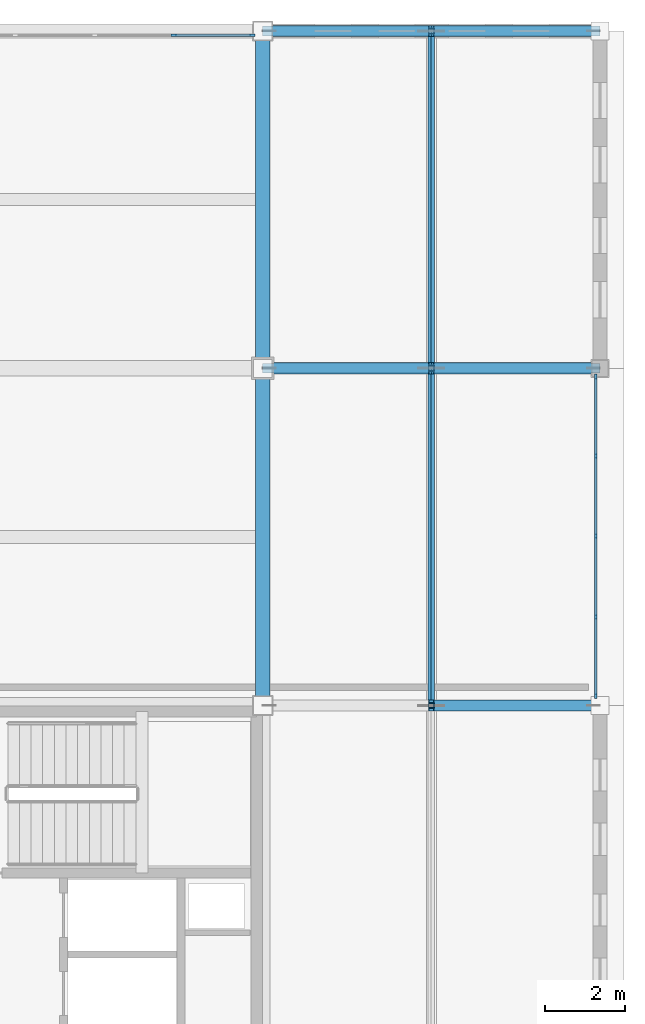
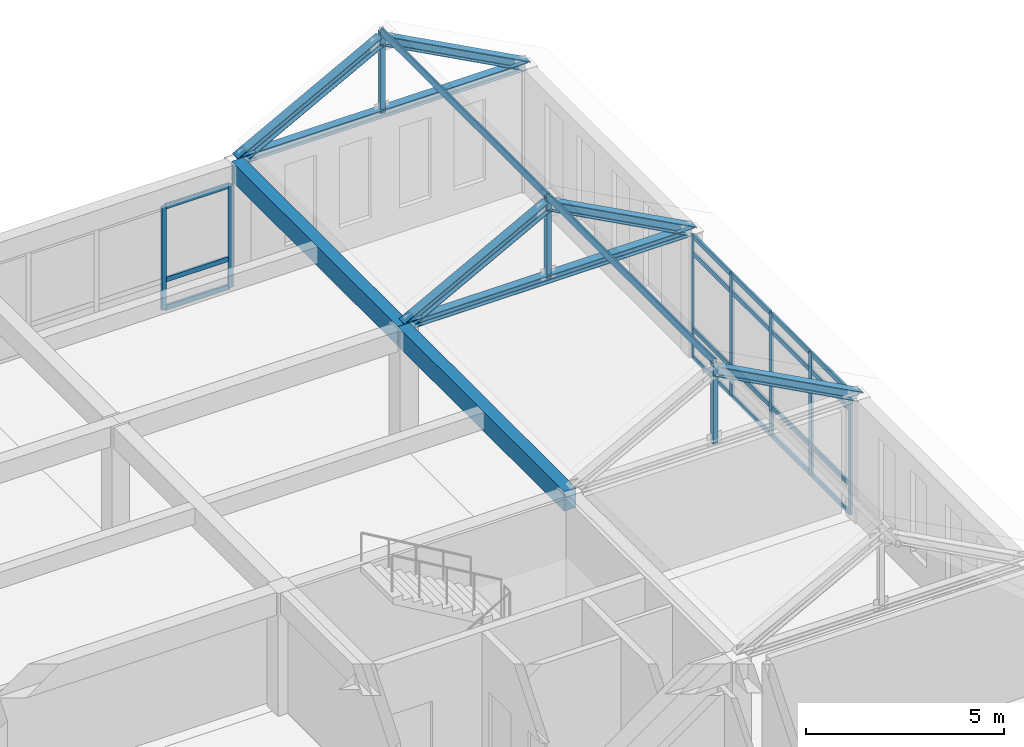
# One storey, part 18 of 36: 38 members, 2 beams, 2 elements without a shape of their own.
"""IFC4 building model written with IfcOpenShell, lengths in metres."""

from ifc_helpers import new_model, si_unit, direction, frame, origin, origin_2d, place, context, subcontext, project, spatial, rectangle, hollow_rectangle, i_section, extrude, material, layer, layer_set, material_profile, profile_set, type_object, element, aggregate, save


model = new_model("IFC4")

# Units and contexts
model_context = context("Model", 3, precision=1e-05, world=origin(), true_north=direction((0.0, 1.0)))
body_context = subcontext(model_context, "Body", "Model", "MODEL_VIEW")
ifc_project = project(units=[si_unit("LENGTHUNIT", "METRE"), si_unit("AREAUNIT", "SQUARE_METRE"), si_unit("VOLUMEUNIT", "CUBIC_METRE"), si_unit("PLANEANGLEUNIT", "RADIAN"), si_unit("MASSUNIT", "GRAM", prefix="KILO")], contexts=[model_context])

# Site, building, storey
site_placement = place(None, origin())
site = spatial("IfcSite", under=ifc_project, at=site_placement, CompositionType="ELEMENT")
building_placement = place(site_placement, origin())
building = spatial("IfcBuilding", under=site, at=building_placement, Name="Kveldsbrygga Polytechnic", CompositionType="ELEMENT")
storey_placement = place(building_placement, frame((0.0, 0.0, 22.10009765625)))
storey = spatial("IfcBuildingStorey", under=building, at=storey_placement, Name="L05", CompositionType="ELEMENT", Elevation=22.10009765625)

# Beams
ifc_material_1 = material(Name="Concrete C35/45", Category="concrete")
ifc_material_profile_1 = material_profile(ifc_material_1, rectangle(XDim=0.35009765625, YDim=0.60009765625, at=origin_2d()), Name="RC 350x600")
ifc_profile_set_1 = profile_set([ifc_material_profile_1], Name="Concrete C35/45")
beam_type = type_object("IfcBeamType", Name="BM-SPANDREL-600", PredefinedType="T_BEAM", material=ifc_profile_set_1)
beam_1_placement = place(storey_placement, frame((159.60009765625, 84.0, 3.47998046875), z_axis=(0.0, 1.0, 0.0), x_axis=(-1.0, 0.0, 0.0)))
element("IfcBeam", 1, at=beam_1_placement, inside=storey, type_object=beam_type, Name="Primary Beam BMY-L05-19-10to11", PredefinedType="T_BEAM", context=body_context, shape_type="SweptSolid", body=[
    extrude(rectangle(XDim=0.35009765625, YDim=0.60009765625, at=origin_2d()), origin(), (0.0, 0.0, 1.0), 8.39990234375),
])
beam_2_placement = place(storey_placement, frame((159.60009765625, 92.39990234375, 3.47998046875), z_axis=(0.0, 1.0, 0.0), x_axis=(-1.0, 0.0, 0.0)))
element("IfcBeam", 2, at=beam_2_placement, inside=storey, type_object=beam_type, Name="Primary Beam BMY-L05-19-11to12", PredefinedType="T_BEAM", context=body_context, shape_type="SweptSolid", body=[
    extrude(rectangle(XDim=0.35009765625, YDim=0.60009765625, at=origin_2d()), origin(), (0.0, 0.0, 1.0), 8.400146484375),
])

# Curtain wall, members
ifc_material_2 = material(Name="Anodised aluminium AW-6060", Category="aluminium")
ifc_layer = layer(ifc_material_2, 0.199951171875)
ifc_layer_set = layer_set([ifc_layer], Name="Anodised aluminium AW-6060")
curtain_wall_type = type_object("IfcCurtainWallType", Name="CW-LANC-E", PredefinedType="USERDEFINED", material=ifc_layer_set)
curtain_wall_1_placement = place(storey_placement, origin())
curtain_wall_1 = element("IfcCurtainWall", 3, at=curtain_wall_1_placement, inside=storey, type_object=curtain_wall_type, Name="Curtain Wall CW-L05-X-18-12", ObjectType="UNITISED CURTAIN WALL", PredefinedType="USERDEFINED")
ifc_material_profile_2 = material_profile(ifc_material_2, rectangle(XDim=0.06005859375, YDim=0.139892578125, at=origin_2d()), Name="ALU 60x140")
ifc_profile_set_2 = profile_set([ifc_material_profile_2], Name="Anodised aluminium AW-6060")
member_type_1 = type_object("IfcMemberType", Name="CW-MUL-140", PredefinedType="MULLION", material=ifc_profile_set_2)
member_1_placement = place(storey_placement, frame((157.388671875, 100.699951171875, 0.0), z_axis=(0.0, 0.0, 1.0), x_axis=(0.0, 1.0, 0.0)))
member_1 = element("IfcMember", 4, at=member_1_placement, type_object=member_type_1, Name="CW-05 mullion 4", PredefinedType="MULLION", context=body_context, shape_type="SweptSolid", body=[
    extrude(rectangle(XDim=0.06005859375, YDim=0.139892578125, at=origin_2d()), origin(), (0.0, 0.0, 1.0), 3.179931640625),
])
member_2_placement = place(storey_placement, frame((159.3349609375, 100.699951171875, 0.0), z_axis=(0.0, 0.0, 1.0), x_axis=(0.0, 1.0, 0.0)))
member_2 = element("IfcMember", 5, at=member_2_placement, type_object=member_type_1, Name="CW-05 mullion 5", PredefinedType="MULLION", context=body_context, shape_type="SweptSolid", body=[
    extrude(rectangle(XDim=0.06005859375, YDim=0.139892578125, at=origin_2d()), origin(), (0.0, 0.0, 1.0), 3.179931640625),
])

curtain_wall_2_placement = place(storey_placement, origin())
curtain_wall_2 = element("IfcCurtainWall", 6, at=curtain_wall_2_placement, inside=storey, type_object=curtain_wall_type, Name="Curtain Wall CW-L05-Y-20-10", ObjectType="UNITISED CURTAIN WALL", PredefinedType="USERDEFINED")
member_3_placement = place(storey_placement, frame((167.89990234375, 84.239990234375, 0.0), z_axis=(0.0, 0.0, 1.0), x_axis=(-1.0, 0.0, 0.0)))
member_3 = element("IfcMember", 7, at=member_3_placement, type_object=member_type_1, Name="CW-05 mullion 1", PredefinedType="MULLION", context=body_context, shape_type="SweptSolid", body=[
    extrude(rectangle(XDim=0.06005859375, YDim=0.139892578125, at=origin_2d()), origin(), (0.0, 0.0, 1.0), 3.77978515625),
])
member_4_placement = place(storey_placement, frame((167.89990234375, 86.211181640625, 0.0), z_axis=(0.0, 0.0, 1.0), x_axis=(-1.0, 0.0, 0.0)))
member_4 = element("IfcMember", 8, at=member_4_placement, type_object=member_type_1, Name="CW-05 mullion 2", PredefinedType="MULLION", context=body_context, shape_type="SweptSolid", body=[
    extrude(rectangle(XDim=0.06005859375, YDim=0.139892578125, at=origin_2d()), origin(), (0.0, 0.0, 1.0), 3.77978515625),
])
member_5_placement = place(storey_placement, frame((167.89990234375, 88.21240234375, 0.0), z_axis=(0.0, 0.0, 1.0), x_axis=(-1.0, 0.0, 0.0)))
member_5 = element("IfcMember", 9, at=member_5_placement, type_object=member_type_1, Name="CW-05 mullion 3", PredefinedType="MULLION", context=body_context, shape_type="SweptSolid", body=[
    extrude(rectangle(XDim=0.06005859375, YDim=0.139892578125, at=origin_2d()), origin(), (0.0, 0.0, 1.0), 3.77978515625),
])
member_6_placement = place(storey_placement, frame((167.89990234375, 90.2138671875, 0.0), z_axis=(0.0, 0.0, 1.0), x_axis=(-1.0, 0.0, 0.0)))
member_6 = element("IfcMember", 10, at=member_6_placement, type_object=member_type_1, Name="CW-05 mullion 4", PredefinedType="MULLION", context=body_context, shape_type="SweptSolid", body=[
    extrude(rectangle(XDim=0.06005859375, YDim=0.139892578125, at=origin_2d()), origin(), (0.0, 0.0, 1.0), 3.77978515625),
])
member_7_placement = place(storey_placement, frame((167.89990234375, 92.18505859375, 0.0), z_axis=(0.0, 0.0, 1.0), x_axis=(-1.0, 0.0, 0.0)))
member_7 = element("IfcMember", 11, at=member_7_placement, type_object=member_type_1, Name="CW-05 mullion 5", PredefinedType="MULLION", context=body_context, shape_type="SweptSolid", body=[
    extrude(rectangle(XDim=0.06005859375, YDim=0.139892578125, at=origin_2d()), origin(), (0.0, 0.0, 1.0), 3.77978515625),
])

# Member
ifc_material_profile_3 = material_profile(ifc_material_2, rectangle(XDim=0.06005859375, YDim=0.14990234375, at=origin_2d()), Name="ALU 60x150")
ifc_profile_set_3 = profile_set([ifc_material_profile_3], Name="Anodised aluminium AW-6060")
member_type_2 = type_object("IfcMemberType", Name="CW-TRN-150", PredefinedType="USERDEFINED", material=ifc_profile_set_3)
member_8_placement = place(storey_placement, frame((157.418701171875, 100.699951171875, 0.02978515625), z_axis=(1.0, 0.0, 0.0), x_axis=(0.0, 1.0, 0.0)))
member_8 = element("IfcMember", 12, at=member_8_placement, type_object=member_type_2, Name="CW-05 transom 4.1", ObjectType="TRANSOM", PredefinedType="USERDEFINED", context=body_context, shape_type="SweptSolid", body=[
    extrude(rectangle(XDim=0.06005859375, YDim=0.14990234375, at=origin_2d()), origin(), (0.0, 0.0, 1.0), 1.88623046875),
])

member_9_placement = place(storey_placement, frame((157.418701171875, 100.699951171875, 0.89990234375), z_axis=(1.0, 0.0, 0.0), x_axis=(0.0, 1.0, 0.0)))
member_9 = element("IfcMember", 13, at=member_9_placement, type_object=member_type_2, Name="CW-05 transom 4.2", ObjectType="TRANSOM", PredefinedType="USERDEFINED", context=body_context, shape_type="SweptSolid", body=[
    extrude(rectangle(XDim=0.06005859375, YDim=0.14990234375, at=origin_2d()), origin(), (0.0, 0.0, 1.0), 1.88623046875),
])

member_10_placement = place(storey_placement, frame((157.418701171875, 100.699951171875, 3.14990234375), z_axis=(1.0, 0.0, 0.0), x_axis=(0.0, 1.0, 0.0)))
member_10 = element("IfcMember", 14, at=member_10_placement, type_object=member_type_2, Name="CW-05 transom 4.3", ObjectType="TRANSOM", PredefinedType="USERDEFINED", context=body_context, shape_type="SweptSolid", body=[
    extrude(rectangle(XDim=0.06005859375, YDim=0.14990234375, at=origin_2d()), origin(), (0.0, 0.0, 1.0), 1.88623046875),
])

aggregate(curtain_wall_1, [member_1, member_2, member_8, member_9, member_10])

member_11_placement = place(storey_placement, frame((167.89990234375, 84.27001953125, 0.02978515625), z_axis=(0.0, 1.0, 0.0), x_axis=(-1.0, 0.0, 0.0)))
member_11 = element("IfcMember", 15, at=member_11_placement, type_object=member_type_2, Name="CW-05 transom 1.1", ObjectType="TRANSOM", PredefinedType="USERDEFINED", context=body_context, shape_type="SweptSolid", body=[
    extrude(rectangle(XDim=0.06005859375, YDim=0.14990234375, at=origin_2d()), origin(), (0.0, 0.0, 1.0), 1.9111328125),
])

member_12_placement = place(storey_placement, frame((167.89990234375, 84.27001953125, 0.89990234375), z_axis=(0.0, 1.0, 0.0), x_axis=(-1.0, 0.0, 0.0)))
member_12 = element("IfcMember", 16, at=member_12_placement, type_object=member_type_2, Name="CW-05 transom 1.2", ObjectType="TRANSOM", PredefinedType="USERDEFINED", context=body_context, shape_type="SweptSolid", body=[
    extrude(rectangle(XDim=0.06005859375, YDim=0.14990234375, at=origin_2d()), origin(), (0.0, 0.0, 1.0), 1.9111328125),
])

member_13_placement = place(storey_placement, frame((167.89990234375, 84.27001953125, 3.22998046875), z_axis=(0.0, 1.0, 0.0), x_axis=(-1.0, 0.0, 0.0)))
member_13 = element("IfcMember", 17, at=member_13_placement, type_object=member_type_2, Name="CW-05 transom 1.3", ObjectType="TRANSOM", PredefinedType="USERDEFINED", context=body_context, shape_type="SweptSolid", body=[
    extrude(rectangle(XDim=0.06005859375, YDim=0.14990234375, at=origin_2d()), origin(), (0.0, 0.0, 1.0), 1.9111328125),
])

member_14_placement = place(storey_placement, frame((167.89990234375, 84.27001953125, 3.75), z_axis=(0.0, 1.0, 0.0), x_axis=(-1.0, 0.0, 0.0)))
member_14 = element("IfcMember", 18, at=member_14_placement, type_object=member_type_2, Name="CW-05 transom 1.4", ObjectType="TRANSOM", PredefinedType="USERDEFINED", context=body_context, shape_type="SweptSolid", body=[
    extrude(rectangle(XDim=0.06005859375, YDim=0.14990234375, at=origin_2d()), origin(), (0.0, 0.0, 1.0), 1.9111328125),
])

member_15_placement = place(storey_placement, frame((167.89990234375, 86.2412109375, 0.02978515625), z_axis=(0.0, 1.0, 0.0), x_axis=(-1.0, 0.0, 0.0)))
member_15 = element("IfcMember", 19, at=member_15_placement, type_object=member_type_2, Name="CW-05 transom 2.1", ObjectType="TRANSOM", PredefinedType="USERDEFINED", context=body_context, shape_type="SweptSolid", body=[
    extrude(rectangle(XDim=0.06005859375, YDim=0.14990234375, at=origin_2d()), origin(), (0.0, 0.0, 1.0), 1.94140625),
])

member_16_placement = place(storey_placement, frame((167.89990234375, 86.2412109375, 0.89990234375), z_axis=(0.0, 1.0, 0.0), x_axis=(-1.0, 0.0, 0.0)))
member_16 = element("IfcMember", 20, at=member_16_placement, type_object=member_type_2, Name="CW-05 transom 2.2", ObjectType="TRANSOM", PredefinedType="USERDEFINED", context=body_context, shape_type="SweptSolid", body=[
    extrude(rectangle(XDim=0.06005859375, YDim=0.14990234375, at=origin_2d()), origin(), (0.0, 0.0, 1.0), 1.94140625),
])

member_17_placement = place(storey_placement, frame((167.89990234375, 86.2412109375, 3.22998046875), z_axis=(0.0, 1.0, 0.0), x_axis=(-1.0, 0.0, 0.0)))
member_17 = element("IfcMember", 21, at=member_17_placement, type_object=member_type_2, Name="CW-05 transom 2.3", ObjectType="TRANSOM", PredefinedType="USERDEFINED", context=body_context, shape_type="SweptSolid", body=[
    extrude(rectangle(XDim=0.06005859375, YDim=0.14990234375, at=origin_2d()), origin(), (0.0, 0.0, 1.0), 1.94140625),
])

member_18_placement = place(storey_placement, frame((167.89990234375, 86.2412109375, 3.75), z_axis=(0.0, 1.0, 0.0), x_axis=(-1.0, 0.0, 0.0)))
member_18 = element("IfcMember", 22, at=member_18_placement, type_object=member_type_2, Name="CW-05 transom 2.4", ObjectType="TRANSOM", PredefinedType="USERDEFINED", context=body_context, shape_type="SweptSolid", body=[
    extrude(rectangle(XDim=0.06005859375, YDim=0.14990234375, at=origin_2d()), origin(), (0.0, 0.0, 1.0), 1.94140625),
])

member_19_placement = place(storey_placement, frame((167.89990234375, 88.242431640625, 0.02978515625), z_axis=(0.0, 1.0, 0.0), x_axis=(-1.0, 0.0, 0.0)))
member_19 = element("IfcMember", 23, at=member_19_placement, type_object=member_type_2, Name="CW-05 transom 3.1", ObjectType="TRANSOM", PredefinedType="USERDEFINED", context=body_context, shape_type="SweptSolid", body=[
    extrude(rectangle(XDim=0.06005859375, YDim=0.14990234375, at=origin_2d()), origin(), (0.0, 0.0, 1.0), 1.94140625),
])

member_20_placement = place(storey_placement, frame((167.89990234375, 88.242431640625, 0.89990234375), z_axis=(0.0, 1.0, 0.0), x_axis=(-1.0, 0.0, 0.0)))
member_20 = element("IfcMember", 24, at=member_20_placement, type_object=member_type_2, Name="CW-05 transom 3.2", ObjectType="TRANSOM", PredefinedType="USERDEFINED", context=body_context, shape_type="SweptSolid", body=[
    extrude(rectangle(XDim=0.06005859375, YDim=0.14990234375, at=origin_2d()), origin(), (0.0, 0.0, 1.0), 1.94140625),
])

member_21_placement = place(storey_placement, frame((167.89990234375, 88.242431640625, 3.22998046875), z_axis=(0.0, 1.0, 0.0), x_axis=(-1.0, 0.0, 0.0)))
member_21 = element("IfcMember", 25, at=member_21_placement, type_object=member_type_2, Name="CW-05 transom 3.3", ObjectType="TRANSOM", PredefinedType="USERDEFINED", context=body_context, shape_type="SweptSolid", body=[
    extrude(rectangle(XDim=0.06005859375, YDim=0.14990234375, at=origin_2d()), origin(), (0.0, 0.0, 1.0), 1.94140625),
])

member_22_placement = place(storey_placement, frame((167.89990234375, 88.242431640625, 3.75), z_axis=(0.0, 1.0, 0.0), x_axis=(-1.0, 0.0, 0.0)))
member_22 = element("IfcMember", 26, at=member_22_placement, type_object=member_type_2, Name="CW-05 transom 3.4", ObjectType="TRANSOM", PredefinedType="USERDEFINED", context=body_context, shape_type="SweptSolid", body=[
    extrude(rectangle(XDim=0.06005859375, YDim=0.14990234375, at=origin_2d()), origin(), (0.0, 0.0, 1.0), 1.94140625),
])

member_23_placement = place(storey_placement, frame((167.89990234375, 90.24365234375, 0.02978515625), z_axis=(0.0, 1.0, 0.0), x_axis=(-1.0, 0.0, 0.0)))
member_23 = element("IfcMember", 27, at=member_23_placement, type_object=member_type_2, Name="CW-05 transom 4.1", ObjectType="TRANSOM", PredefinedType="USERDEFINED", context=body_context, shape_type="SweptSolid", body=[
    extrude(rectangle(XDim=0.06005859375, YDim=0.14990234375, at=origin_2d()), origin(), (0.0, 0.0, 1.0), 1.911376953125),
])

member_24_placement = place(storey_placement, frame((167.89990234375, 90.24365234375, 0.89990234375), z_axis=(0.0, 1.0, 0.0), x_axis=(-1.0, 0.0, 0.0)))
member_24 = element("IfcMember", 28, at=member_24_placement, type_object=member_type_2, Name="CW-05 transom 4.2", ObjectType="TRANSOM", PredefinedType="USERDEFINED", context=body_context, shape_type="SweptSolid", body=[
    extrude(rectangle(XDim=0.06005859375, YDim=0.14990234375, at=origin_2d()), origin(), (0.0, 0.0, 1.0), 1.911376953125),
])

member_25_placement = place(storey_placement, frame((167.89990234375, 90.24365234375, 3.22998046875), z_axis=(0.0, 1.0, 0.0), x_axis=(-1.0, 0.0, 0.0)))
member_25 = element("IfcMember", 29, at=member_25_placement, type_object=member_type_2, Name="CW-05 transom 4.3", ObjectType="TRANSOM", PredefinedType="USERDEFINED", context=body_context, shape_type="SweptSolid", body=[
    extrude(rectangle(XDim=0.06005859375, YDim=0.14990234375, at=origin_2d()), origin(), (0.0, 0.0, 1.0), 1.911376953125),
])

member_26_placement = place(storey_placement, frame((167.89990234375, 90.24365234375, 3.75), z_axis=(0.0, 1.0, 0.0), x_axis=(-1.0, 0.0, 0.0)))
member_26 = element("IfcMember", 30, at=member_26_placement, type_object=member_type_2, Name="CW-05 transom 4.4", ObjectType="TRANSOM", PredefinedType="USERDEFINED", context=body_context, shape_type="SweptSolid", body=[
    extrude(rectangle(XDim=0.06005859375, YDim=0.14990234375, at=origin_2d()), origin(), (0.0, 0.0, 1.0), 1.911376953125),
])

aggregate(curtain_wall_2, [member_3, member_4, member_5, member_6, member_7, member_11, member_12, member_13, member_14, member_15, member_16, member_17, member_18, member_19, member_20, member_21, member_22, member_23, member_24, member_25, member_26])

# Members
ifc_material_3 = material(Name="Steel S355", Category="steel")
ifc_material_profile_4 = material_profile(ifc_material_3, hollow_rectangle(XDim=0.10009765625, YDim=0.14990234375, WallThickness=0.008056640625, at=origin_2d()), Name="RHS 150x100x8.0")
ifc_profile_set_4 = profile_set([ifc_material_profile_4], Name="Steel S355")
member_type_3 = type_object("IfcMemberType", Name="PRL-RHS150", PredefinedType="PURLIN", material=ifc_profile_set_4)
member_27_placement = place(storey_placement, frame((163.800048828125, 84.0, 6.27392578125), z_axis=(0.0, 1.0, 0.0), x_axis=(-0.881479888517, 0.0, 0.472221564671)))
element("IfcMember", 31, at=member_27_placement, inside=storey, type_object=member_type_3, Name="Roof Purlin V4E6-PRL-9-1", PredefinedType="PURLIN", context=body_context, shape_type="SweptSolid", body=[
    extrude(hollow_rectangle(XDim=0.10009765625, YDim=0.14990234375, WallThickness=0.008056640625, at=origin_2d()), origin(), (0.0, 0.0, 1.0), 8.39990234375),
])
member_28_placement = place(storey_placement, frame((163.800048828125, 92.39990234375, 6.27392578125), z_axis=(0.0, 1.0, 0.0), x_axis=(-0.881479888517, 0.0, 0.472221564671)))
element("IfcMember", 32, at=member_28_placement, inside=storey, type_object=member_type_3, Name="Roof Purlin V4E6-PRL-10-1", PredefinedType="PURLIN", context=body_context, shape_type="SweptSolid", body=[
    extrude(hollow_rectangle(XDim=0.10009765625, YDim=0.14990234375, WallThickness=0.008056640625, at=origin_2d()), origin(), (0.0, 0.0, 1.0), 8.400146484375),
])
ifc_material_profile_5 = material_profile(ifc_material_3, i_section(OverallWidth=0.239990234375, OverallDepth=0.239990234375, WebThickness=0.010009765625, FlangeThickness=0.01708984375, FilletRadius=0.02099609375, at=origin_2d()), Name="HEB 240")
ifc_profile_set_5 = profile_set([ifc_material_profile_5], Name="Steel S355")
member_type_4 = type_object("IfcMemberType", Name="TR-BOT-HEB240", PredefinedType="CHORD", material=ifc_profile_set_5)
for number, where, z_axis, x_axis, name in (
    (33, (159.60009765625, 92.39990234375, 3.77978515625), (1.0, 0.0, 0.0), (0.0, 1.0, 0.0), "Truss Bottom Chord V4E6-T10-BC-1"),
    (34, (159.60009765625, 100.800048828125, 3.77978515625), (1.0, 0.0, 0.0), (0.0, 1.0, 0.0), "Truss Bottom Chord V4E6-T11-BC-1"),
):
    element("IfcMember", number, at=place(storey_placement, frame(where, z_axis=z_axis, x_axis=x_axis)), inside=storey, type_object=member_type_4, Name=name, PredefinedType="CHORD", context=body_context, shape_type="SweptSolid", body=[
        extrude(i_section(OverallWidth=0.239990234375, OverallDepth=0.239990234375, WebThickness=0.010009765625, FlangeThickness=0.01708984375, FilletRadius=0.02099609375, at=origin_2d()), origin(), (0.0, 0.0, 1.0), 8.39990234375),
    ])
ifc_material_profile_6 = material_profile(ifc_material_3, hollow_rectangle(XDim=0.139892578125, YDim=0.139892578125, WallThickness=0.008056640625, at=origin_2d()), Name="SHS 140x140x8.0")
ifc_profile_set_6 = profile_set([ifc_material_profile_6], Name="Steel S355")
member_type_5 = type_object("IfcMemberType", Name="TR-POST-SHS140", PredefinedType="STRUT", material=ifc_profile_set_6)
for number, where, z_axis, x_axis, name in (
    (35, (163.800048828125, 84.0, 3.77978515625), (0.0, 0.0, 1.0), (1.0, 0.0, 0.0), "Truss Vertical V4E6-T09-VT-1"),
    (36, (163.800048828125, 92.39990234375, 3.77978515625), (0.0, 0.0, 1.0), (1.0, 0.0, 0.0), "Truss Vertical V4E6-T10-VT-1"),
    (37, (163.800048828125, 100.800048828125, 3.77978515625), (0.0, 0.0, 1.0), (1.0, 0.0, 0.0), "Truss Vertical V4E6-T11-VT-1"),
):
    element("IfcMember", number, at=place(storey_placement, frame(where, z_axis=z_axis, x_axis=x_axis)), inside=storey, type_object=member_type_5, Name=name, PredefinedType="STRUT", context=body_context, shape_type="SweptSolid", body=[
        extrude(hollow_rectangle(XDim=0.139892578125, YDim=0.139892578125, WallThickness=0.008056640625, at=origin_2d()), origin(), (0.0, 0.0, 1.0), 2.494140625),
    ])
ifc_material_profile_7 = material_profile(ifc_material_3, i_section(OverallWidth=0.280029296875, OverallDepth=0.280029296875, WebThickness=0.010498046875, FlangeThickness=0.01806640625, FilletRadius=0.02392578125, at=origin_2d()), Name="HEB 280")
ifc_profile_set_7 = profile_set([ifc_material_profile_7], Name="Steel S355")
member_type_6 = type_object("IfcMemberType", Name="TR-TOP-HEB280", PredefinedType="CHORD", material=ifc_profile_set_7)
for number, where, z_axis, x_axis, name in (
    (38, (163.800048828125, 84.0, 6.02978515625), (0.881477684796, 0.0, -0.472225678258), (0.0, 1.0, 0.0), "Truss Top Chord V4E6-T09-TC-2"),
    (39, (159.60009765625, 92.39990234375, 3.77978515625), (0.881477684796, 0.0, 0.472225678258), (0.0, 1.0, 0.0), "Truss Top Chord V4E6-T10-TC-1"),
    (40, (163.800048828125, 92.39990234375, 6.02978515625), (0.881477684796, 0.0, -0.472225678258), (0.0, 1.0, 0.0), "Truss Top Chord V4E6-T10-TC-2"),
    (41, (159.60009765625, 100.800048828125, 3.77978515625), (0.881477684796, 0.0, 0.472225678258), (0.0, 1.0, 0.0), "Truss Top Chord V4E6-T11-TC-1"),
    (42, (163.800048828125, 100.800048828125, 6.02978515625), (0.881477684796, 0.0, -0.472225678258), (0.0, 1.0, 0.0), "Truss Top Chord V4E6-T11-TC-2"),
):
    element("IfcMember", number, at=place(storey_placement, frame(where, z_axis=z_axis, x_axis=x_axis)), inside=storey, type_object=member_type_6, Name=name, PredefinedType="CHORD", context=body_context, shape_type="SweptSolid", body=[
        extrude(i_section(OverallWidth=0.280029296875, OverallDepth=0.280029296875, WebThickness=0.010498046875, FlangeThickness=0.01806640625, FilletRadius=0.02392578125, at=origin_2d()), origin(), (0.0, 0.0, 1.0), 4.7646484375),
    ])

save(model, "model.ifc")
